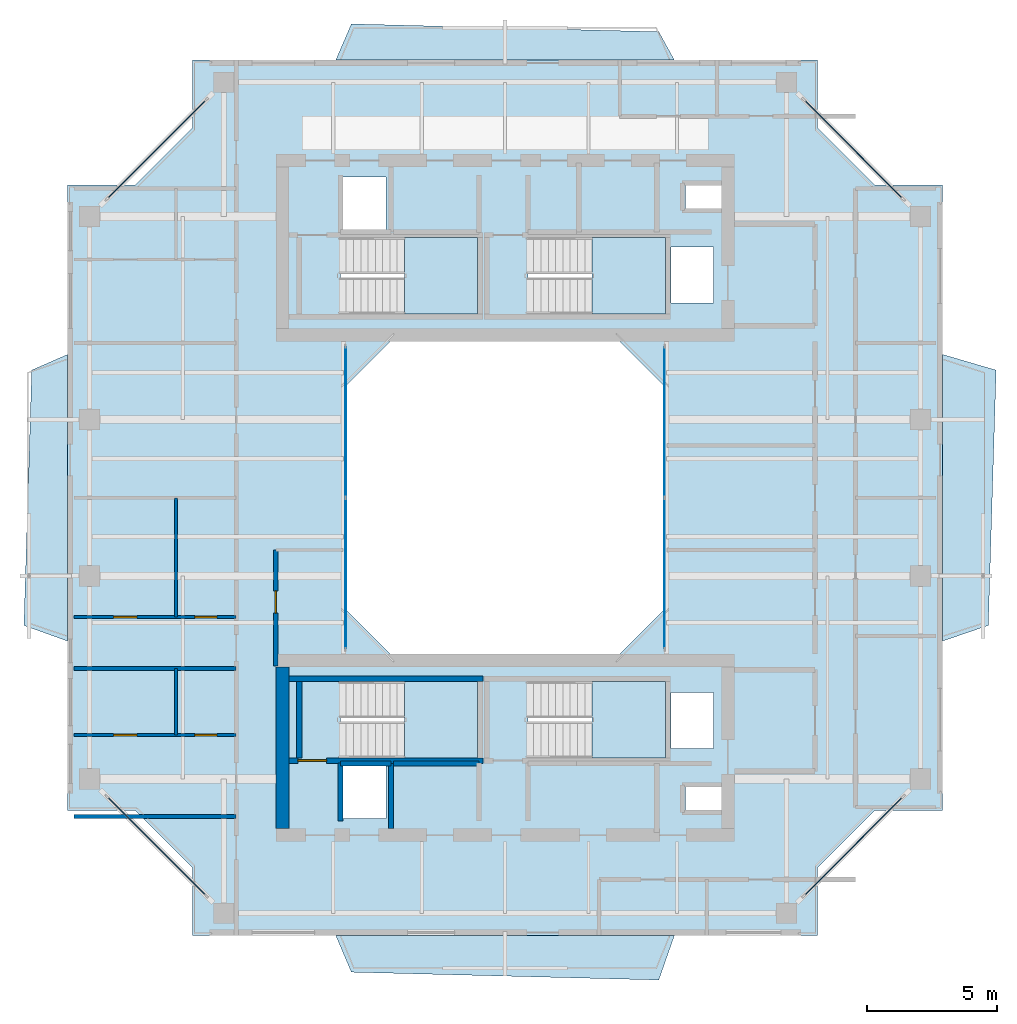
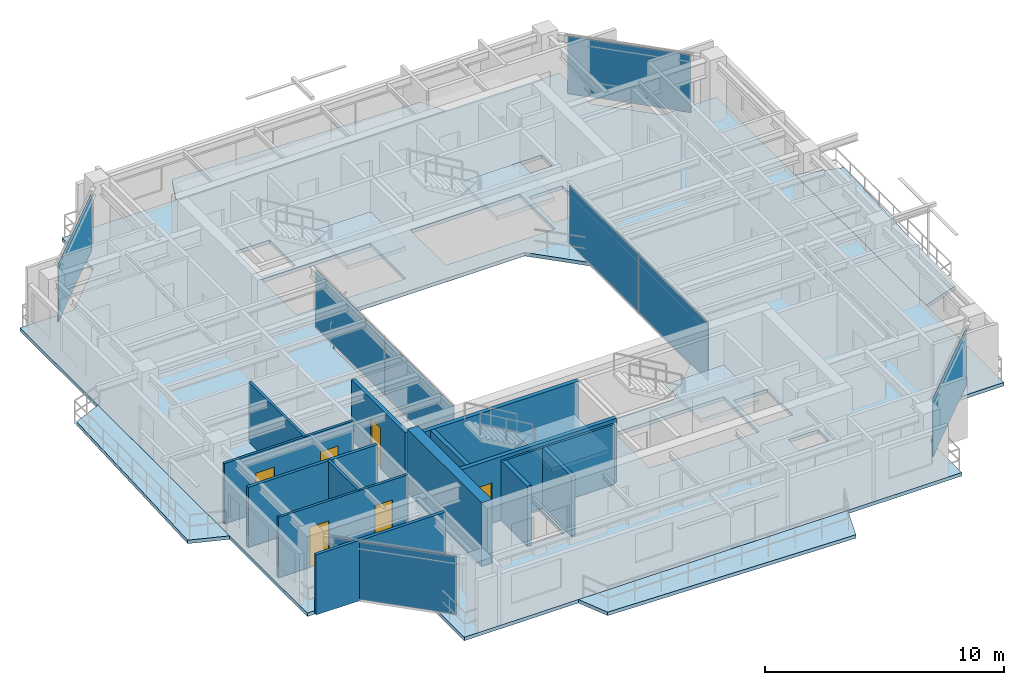
# One storey, part 9 of 16: 15 walls, 9 slabs, 8 plates, 6 doors, 6 openings, 10 elements without a shape of their own.
"""IFC4 building model written with IfcOpenShell, lengths in metres."""

from ifc_helpers import new_model, si_unit, direction, frame, frame_2d, origin, origin_2d, place, context, subcontext, project, spatial, polyline, rectangle, outline, extrude, source, transform, mapped, material, layer, layer_set, type_object, element, fill, aggregate, save


model = new_model("IFC4")

# Units and contexts
model_context = context("Model", 3, precision=1e-05, world=origin(), true_north=direction((0.0, 1.0)))
body_context = subcontext(model_context, "Body", "Model", "MODEL_VIEW")
ifc_project = project(units=[si_unit("LENGTHUNIT", "METRE"), si_unit("AREAUNIT", "SQUARE_METRE"), si_unit("VOLUMEUNIT", "CUBIC_METRE"), si_unit("PLANEANGLEUNIT", "RADIAN"), si_unit("MASSUNIT", "GRAM", prefix="KILO"), si_unit("THERMODYNAMICTEMPERATUREUNIT", "KELVIN"), si_unit("POWERUNIT", "WATT")], contexts=[model_context])

# Site, building, storey
site_placement = place(None, origin())
site = spatial("IfcSite", under=ifc_project, at=site_placement, CompositionType="ELEMENT")
building_placement = place(site_placement, origin())
building = spatial("IfcBuilding", under=site, at=building_placement, Name="Qiaomeng Ring Towers", CompositionType="ELEMENT")
storey_placement = place(building_placement, frame((0.0, 0.0, 216.5)))
storey = spatial("IfcBuildingStorey", under=building, at=storey_placement, Name="L63", CompositionType="ELEMENT", Elevation=216.5)

# Slabs
ifc_material_1 = material(Name="Concrete C40", Category="concrete")
ifc_layer_1 = layer(ifc_material_1, 0.179931640625, Name="Concrete C40")
ifc_layer_set_1 = layer_set([ifc_layer_1], Name="Concrete C40")
slab_type_1 = type_object("IfcSlabType", Name="STR-SL-180", PredefinedType="FLOOR", material=ifc_layer_set_1)
slab_1_placement = place(storey_placement, frame((0.0, 0.0, -0.179931640625)))
element("IfcSlab", 1, at=slab_1_placement, inside=storey, type_object=slab_type_1, Name="L63 Tower 1 Annular Floor Slab", PredefinedType="FLOOR", context=body_context, shape_type="SweptSolid", body=[
    extrude(outline(polyline([(7.0, 6.199951171875), (31.0, 6.199951171875), (31.0, 8.800048828125), (33.199951171875, 11.0), (35.800048828125, 11.0), (35.800048828125, 35.0), (33.199951171875, 35.0), (31.0, 37.199951171875), (31.0, 39.800048828125), (7.0, 39.800048828125), (7.0, 37.199951171875), (4.800048828125, 35.0), (2.199951171875, 35.0), (2.199951171875, 11.0), (4.800048828125, 11.0), (7.0, 8.800048828125), (7.0, 6.199951171875)]), holes=[polyline([(12.780029296875, 10.679931640625), (12.780029296875, 12.820068359375), (14.419921875, 12.820068359375), (14.419921875, 10.679931640625), (12.780029296875, 10.679931640625)]), polyline([(12.679931640625, 13.010009765625), (12.679931640625, 15.949951171875), (17.949951171875, 15.949951171875), (17.949951171875, 13.010009765625), (12.679931640625, 13.010009765625)]), polyline([(23.199951171875, 29.199951171875), (25.199951171875, 27.199951171875), (25.199951171875, 18.800048828125), (23.199951171875, 16.800048828125), (14.800048828125, 16.800048828125), (12.800048828125, 18.800048828125), (12.800048828125, 27.199951171875), (14.800048828125, 29.199951171875), (23.199951171875, 29.199951171875)]), polyline([(12.679931640625, 32.989990234375), (17.949951171875, 32.989990234375), (17.949951171875, 30.050048828125), (12.679931640625, 30.050048828125), (12.679931640625, 32.989990234375)]), polyline([(19.8798828125, 32.989990234375), (25.14990234375, 32.989990234375), (25.14990234375, 30.050048828125), (19.8798828125, 30.050048828125), (19.8798828125, 32.989990234375)]), polyline([(12.780029296875, 33.179931640625), (12.780029296875, 35.320068359375), (14.419921875, 35.320068359375), (14.419921875, 33.179931640625), (12.780029296875, 33.179931640625)]), polyline([(25.919921875, 11.89990234375), (27.360107421875, 11.89990234375), (27.360107421875, 11.0), (25.919921875, 11.0), (25.919921875, 11.89990234375)]), polyline([(25.360107421875, 15.52001953125), (27.0, 15.52001953125), (27.0, 13.3798828125), (25.360107421875, 13.3798828125), (25.360107421875, 15.52001953125)]), polyline([(19.8798828125, 13.010009765625), (19.8798828125, 15.949951171875), (25.14990234375, 15.949951171875), (25.14990234375, 13.010009765625), (19.8798828125, 13.010009765625)]), polyline([(25.360107421875, 32.6201171875), (27.0, 32.6201171875), (27.0, 30.47998046875), (25.360107421875, 30.47998046875), (25.360107421875, 32.6201171875)]), polyline([(25.919921875, 35.0), (27.360107421875, 35.0), (27.360107421875, 34.10009765625), (25.919921875, 34.10009765625), (25.919921875, 35.0)])]), origin(), (0.0, 0.0, 1.0), 0.179931640625),
])
ifc_layer_2 = layer(ifc_material_1, 0.179931640625, Name="Concrete C40")
ifc_layer_set_2 = layer_set([ifc_layer_2], Name="Concrete C40")
slab_type_2 = type_object("IfcSlabType", Name="STR-SL-BAL", PredefinedType="FLOOR", material=ifc_layer_set_2)
slab_2_placement = place(storey_placement, frame((0.0, 0.0, -0.179931640625)))
element("IfcSlab", 2, at=slab_2_placement, inside=storey, type_object=slab_type_2, Name="L63 Tower 1 S Faceted Balcony Slab", PredefinedType="FLOOR", context=body_context, shape_type="SweptSolid", body=[
    extrude(outline(polyline([(25.5, 6.199951171875), (24.89990234375, 4.489990234375), (13.10009765625, 4.7900390625), (12.5, 6.199951171875), (25.5, 6.199951171875)])), origin(), (0.0, 0.0, 1.0), 0.179931640625),
])
slab_3_placement = place(storey_placement, frame((0.0, 0.0, -0.179931640625)))
element("IfcSlab", 3, at=slab_3_placement, inside=storey, type_object=slab_type_2, Name="L63 Tower 1 E Faceted Balcony Slab", PredefinedType="FLOOR", context=body_context, shape_type="SweptSolid", body=[
    extrude(outline(polyline([(37.85009765625, 27.89990234375), (37.550048828125, 18.10009765625), (35.800048828125, 17.5), (35.800048828125, 28.5), (37.85009765625, 27.89990234375)])), origin(), (0.0, 0.0, 1.0), 0.179931640625),
])
slab_4_placement = place(storey_placement, frame((0.0, 0.0, -0.179931640625)))
element("IfcSlab", 4, at=slab_4_placement, inside=storey, type_object=slab_type_2, Name="L63 Tower 1 N Faceted Balcony Slab", PredefinedType="FLOOR", context=body_context, shape_type="SweptSolid", body=[
    extrude(outline(polyline([(12.5, 39.800048828125), (13.10009765625, 41.18994140625), (24.89990234375, 40.889892578125), (25.5, 39.800048828125), (12.5, 39.800048828125)])), origin(), (0.0, 0.0, 1.0), 0.179931640625),
])
slab_5_placement = place(storey_placement, frame((0.0, 0.0, -0.179931640625)))
element("IfcSlab", 5, at=slab_5_placement, inside=storey, type_object=slab_type_2, Name="L63 Tower 1 W Faceted Balcony Slab", PredefinedType="FLOOR", context=body_context, shape_type="SweptSolid", body=[
    extrude(outline(polyline([(0.530029296875, 18.10009765625), (0.830078125, 27.89990234375), (2.199951171875, 28.5), (2.199951171875, 17.5), (0.530029296875, 18.10009765625)])), origin(), (0.0, 0.0, 1.0), 0.179931640625),
])

# Stair, slab
ifc_material_2 = material(Name="Precast concrete C40", Category="concrete")
stair_type = type_object("IfcStairType", Name="ARC-ST-325", PredefinedType="HALF_TURN_STAIR", material=ifc_material_2)
stair_1_placement = place(storey_placement, origin())
stair_1 = element("IfcStair", 6, at=stair_1_placement, inside=storey, type_object=stair_type, Name="L63 Tower 1 North Stair 1", PredefinedType="HALF_TURN_STAIR")
ifc_layer_3 = layer(ifc_material_1, 0.199951171875, Name="Concrete C40")
ifc_layer_set_3 = layer_set([ifc_layer_3], Name="Concrete C40")
slab_type_3 = type_object("IfcSlabType", Name="STR-SL-LANDING", PredefinedType="LANDING", material=ifc_layer_set_3)
slab_6_placement = place(storey_placement, frame((0.0, 0.0, 1.425048828125)))
slab_6 = element("IfcSlab", 7, at=slab_6_placement, type_object=slab_type_3, Name="ST1 landing 1", PredefinedType="LANDING", context=body_context, shape_type="SweptSolid", body=[
    extrude(outline(polyline([(15.139892578125, 30.050048828125), (17.949951171875, 30.050048828125), (17.949951171875, 32.989990234375), (15.139892578125, 32.989990234375), (15.139892578125, 30.050048828125)])), origin(), (0.0, 0.0, 1.0), 0.199951171875),
])
aggregate(stair_1, [slab_6])

stair_2_placement = place(storey_placement, origin())
stair_2 = element("IfcStair", 8, at=stair_2_placement, inside=storey, type_object=stair_type, Name="L63 Tower 1 North Stair 2", PredefinedType="HALF_TURN_STAIR")
slab_7_placement = place(storey_placement, frame((0.0, 0.0, 1.425048828125)))
slab_7 = element("IfcSlab", 9, at=slab_7_placement, type_object=slab_type_3, Name="ST2 landing 1", PredefinedType="LANDING", context=body_context, shape_type="SweptSolid", body=[
    extrude(outline(polyline([(22.340087890625, 30.050048828125), (25.14990234375, 30.050048828125), (25.14990234375, 32.989990234375), (22.340087890625, 32.989990234375), (22.340087890625, 30.050048828125)])), origin(), (0.0, 0.0, 1.0), 0.199951171875),
])
aggregate(stair_2, [slab_7])

stair_3_placement = place(storey_placement, origin())
stair_3 = element("IfcStair", 10, at=stair_3_placement, inside=storey, type_object=stair_type, Name="L63 Tower 1 South Stair 3", PredefinedType="HALF_TURN_STAIR")
slab_8_placement = place(storey_placement, frame((0.0, 0.0, 1.425048828125)))
slab_8 = element("IfcSlab", 11, at=slab_8_placement, type_object=slab_type_3, Name="ST3 landing 1", PredefinedType="LANDING", context=body_context, shape_type="SweptSolid", body=[
    extrude(outline(polyline([(15.139892578125, 13.010009765625), (17.949951171875, 13.010009765625), (17.949951171875, 15.949951171875), (15.139892578125, 15.949951171875), (15.139892578125, 13.010009765625)])), origin(), (0.0, 0.0, 1.0), 0.199951171875),
])
aggregate(stair_3, [slab_8])

stair_4_placement = place(storey_placement, origin())
stair_4 = element("IfcStair", 12, at=stair_4_placement, inside=storey, type_object=stair_type, Name="L63 Tower 1 South Stair 4", PredefinedType="HALF_TURN_STAIR")
slab_9_placement = place(storey_placement, frame((0.0, 0.0, 1.425048828125)))
slab_9 = element("IfcSlab", 13, at=slab_9_placement, type_object=slab_type_3, Name="ST4 landing 1", PredefinedType="LANDING", context=body_context, shape_type="SweptSolid", body=[
    extrude(outline(polyline([(22.340087890625, 13.010009765625), (25.14990234375, 13.010009765625), (25.14990234375, 15.949951171875), (22.340087890625, 15.949951171875), (22.340087890625, 13.010009765625)])), origin(), (0.0, 0.0, 1.0), 0.199951171875),
])
aggregate(stair_4, [slab_9])

# Curtain wall, plates
ifc_material_3 = material(Name="Fluorocarbon dark-grey aluminium", Category="aluminium")
ifc_layer_4 = layer(ifc_material_3, 0.139892578125, Name="Fluorocarbon dark-grey aluminium")
ifc_layer_set_4 = layer_set([ifc_layer_4], Name="Fluorocarbon dark-grey aluminium")
curtain_wall_type_1 = type_object("IfcCurtainWallType", Name="ARC-CW-4", PredefinedType="NOTDEFINED", material=ifc_layer_set_4)
curtain_wall_1_placement = place(storey_placement, origin())
curtain_wall_1 = element("IfcCurtainWall", 14, at=curtain_wall_1_placement, inside=storey, type_object=curtain_wall_type_1, Name="L63 Curtain Wall CW4", PredefinedType="NOTDEFINED")
ifc_material_4 = material(Name="Low-E dark-grey laminated double glazing", Category="glass")
ifc_layer_5 = layer(ifc_material_4, 0.028076171875, Name="Low-E dark-grey laminated double glazing")
ifc_layer_set_5 = layer_set([ifc_layer_5], Name="Low-E dark-grey laminated double glazing")
plate_type = type_object("IfcPlateType", Name="ARC-CWP-DARK", PredefinedType="CURTAIN_PANEL", material=ifc_layer_set_5)
shared_shape_1 = source(origin(), body_context, "Body", "SweptSolid", [
    extrude(rectangle(XDim=5.75244140625, YDim=0.028076171875, at=origin_2d()), origin(), (0.0, 0.0, 1.0), 2.93994140625),
])
plate_1_placement = place(storey_placement, frame((12.8798828125, 20.09130859375, 0.06494140625), z_axis=(0.0, 0.0, 1.0), x_axis=(0.0, 1.0, 0.0)))
plate_1 = element("IfcPlate", 15, at=plate_1_placement, type_object=plate_type, Name="CW4 panel 1.1", PredefinedType="CURTAIN_PANEL", context=body_context, shape_type="MappedRepresentation", body=[
    mapped(shared_shape_1, transform((0.0, 0.0, 0.0), x_axis=(1.0, 0.0, 0.0), y_axis=(0.0, 1.0, 0.0), z_axis=(0.0, 0.0, 1.0), scale=1.0)),
])
plate_2_placement = place(storey_placement, frame((12.8798828125, 25.90869140625, 0.06494140625), z_axis=(0.0, 0.0, 1.0), x_axis=(0.0, 1.0, 0.0)))
plate_2 = element("IfcPlate", 16, at=plate_2_placement, type_object=plate_type, Name="CW4 panel 2.1", PredefinedType="CURTAIN_PANEL", context=body_context, shape_type="MappedRepresentation", body=[
    mapped(shared_shape_1, transform((0.0, 0.0, 0.0), x_axis=(1.0, 0.0, 0.0), y_axis=(0.0, 1.0, 0.0), z_axis=(0.0, 0.0, 1.0), scale=1.0)),
])
aggregate(curtain_wall_1, [plate_1, plate_2])

curtain_wall_2_placement = place(storey_placement, origin())
curtain_wall_2 = element("IfcCurtainWall", 17, at=curtain_wall_2_placement, inside=storey, type_object=curtain_wall_type_1, Name="L63 Curtain Wall CW4", PredefinedType="NOTDEFINED")
plate_3_placement = place(storey_placement, frame((25.1201171875, 20.09130859375, 0.06494140625), z_axis=(0.0, 0.0, 1.0), x_axis=(0.0, 1.0, 0.0)))
plate_3 = element("IfcPlate", 18, at=plate_3_placement, type_object=plate_type, Name="CW4 panel 1.1", PredefinedType="CURTAIN_PANEL", context=body_context, shape_type="MappedRepresentation", body=[
    mapped(shared_shape_1, transform((0.0, 0.0, 0.0), x_axis=(1.0, 0.0, 0.0), y_axis=(0.0, 1.0, 0.0), z_axis=(0.0, 0.0, 1.0), scale=1.0)),
])
plate_4_placement = place(storey_placement, frame((25.1201171875, 25.90869140625, 0.06494140625), z_axis=(0.0, 0.0, 1.0), x_axis=(0.0, 1.0, 0.0)))
plate_4 = element("IfcPlate", 19, at=plate_4_placement, type_object=plate_type, Name="CW4 panel 2.1", PredefinedType="CURTAIN_PANEL", context=body_context, shape_type="MappedRepresentation", body=[
    mapped(shared_shape_1, transform((0.0, 0.0, 0.0), x_axis=(1.0, 0.0, 0.0), y_axis=(0.0, 1.0, 0.0), z_axis=(0.0, 0.0, 1.0), scale=1.0)),
])
aggregate(curtain_wall_2, [plate_3, plate_4])

# Curtain wall, plate
ifc_layer_6 = layer(ifc_material_3, 0.14990234375, Name="Fluorocarbon dark-grey aluminium")
ifc_layer_set_6 = layer_set([ifc_layer_6], Name="Fluorocarbon dark-grey aluminium")
curtain_wall_type_2 = type_object("IfcCurtainWallType", Name="ARC-CW-3", PredefinedType="NOTDEFINED", material=ifc_layer_set_6)
curtain_wall_3_placement = place(storey_placement, origin())
curtain_wall_3 = element("IfcCurtainWall", 20, at=curtain_wall_3_placement, inside=storey, type_object=curtain_wall_type_2, Name="L63 Curtain Wall CW3", PredefinedType="NOTDEFINED")
shared_shape_2 = source(origin(), body_context, "Body", "SweptSolid", [
    extrude(rectangle(XDim=5.3330078125, YDim=0.028076171875, at=origin_2d()), origin(), (0.0, 0.0, 1.0), 2.93994140625),
])
plate_5_placement = place(storey_placement, frame((32.375, 9.625, 0.06494140625), z_axis=(0.0, 0.0, 1.0), x_axis=(0.707106781187, 0.707106781187, 0.0)))
plate_5 = element("IfcPlate", 21, at=plate_5_placement, type_object=plate_type, Name="CW3 panel 1.1", PredefinedType="CURTAIN_PANEL", context=body_context, shape_type="MappedRepresentation", body=[
    mapped(shared_shape_2, transform((0.0, 0.0, 0.0), x_axis=(1.0, 0.0, 0.0), y_axis=(0.0, 1.0, 0.0), z_axis=(0.0, 0.0, 1.0), scale=1.0)),
])
aggregate(curtain_wall_3, [plate_5])

curtain_wall_4_placement = place(storey_placement, origin())
curtain_wall_4 = element("IfcCurtainWall", 22, at=curtain_wall_4_placement, inside=storey, type_object=curtain_wall_type_2, Name="L63 Curtain Wall CW3", PredefinedType="NOTDEFINED")
plate_6_placement = place(storey_placement, frame((32.375, 36.375, 0.06494140625), z_axis=(0.0, 0.0, 1.0), x_axis=(-0.707106781187, 0.707106781187, 0.0)))
plate_6 = element("IfcPlate", 23, at=plate_6_placement, type_object=plate_type, Name="CW3 panel 1.1", PredefinedType="CURTAIN_PANEL", context=body_context, shape_type="MappedRepresentation", body=[
    mapped(shared_shape_2, transform((0.0, 0.0, 0.0), x_axis=(1.0, 0.0, 0.0), y_axis=(0.0, 1.0, 0.0), z_axis=(0.0, 0.0, 1.0), scale=1.0)),
])
aggregate(curtain_wall_4, [plate_6])

curtain_wall_5_placement = place(storey_placement, origin())
curtain_wall_5 = element("IfcCurtainWall", 24, at=curtain_wall_5_placement, inside=storey, type_object=curtain_wall_type_2, Name="L63 Curtain Wall CW3", PredefinedType="NOTDEFINED")
plate_7_placement = place(storey_placement, frame((5.625, 36.375, 0.06494140625), z_axis=(0.0, 0.0, 1.0), x_axis=(-0.707106781187, -0.707106781187, 0.0)))
plate_7 = element("IfcPlate", 25, at=plate_7_placement, type_object=plate_type, Name="CW3 panel 1.1", PredefinedType="CURTAIN_PANEL", context=body_context, shape_type="MappedRepresentation", body=[
    mapped(shared_shape_2, transform((0.0, 0.0, 0.0), x_axis=(1.0, 0.0, 0.0), y_axis=(0.0, 1.0, 0.0), z_axis=(0.0, 0.0, 1.0), scale=1.0)),
])
aggregate(curtain_wall_5, [plate_7])

curtain_wall_6_placement = place(storey_placement, origin())
curtain_wall_6 = element("IfcCurtainWall", 26, at=curtain_wall_6_placement, inside=storey, type_object=curtain_wall_type_2, Name="L63 Curtain Wall CW3", PredefinedType="NOTDEFINED")
plate_8_placement = place(storey_placement, frame((5.625, 9.625, 0.06494140625), z_axis=(0.0, 0.0, 1.0), x_axis=(0.707106781187, -0.707106781187, 0.0)))
plate_8 = element("IfcPlate", 27, at=plate_8_placement, type_object=plate_type, Name="CW3 panel 1.1", PredefinedType="CURTAIN_PANEL", context=body_context, shape_type="MappedRepresentation", body=[
    mapped(shared_shape_2, transform((0.0, 0.0, 0.0), x_axis=(1.0, 0.0, 0.0), y_axis=(0.0, 1.0, 0.0), z_axis=(0.0, 0.0, 1.0), scale=1.0)),
])
aggregate(curtain_wall_6, [plate_8])

# Walls
ifc_material_5 = material(Name="Autoclaved aerated concrete block", Category="concrete")
ifc_layer_7 = layer(ifc_material_5, 0.199951171875, Name="Autoclaved aerated concrete block")
ifc_layer_set_7 = layer_set([ifc_layer_7], Name="Autoclaved aerated concrete block")
wall_type_1 = type_object("IfcWallType", Name="ARC-WL-PW1", PredefinedType="PARTITIONING", material=ifc_layer_set_7)
wall_1_placement = place(storey_placement, frame((12.679931640625, 10.60009765625, 0.0), z_axis=(0.0, 0.0, 1.0), x_axis=(0.0, 1.0, 0.0)))
element("IfcWall", 28, at=wall_1_placement, inside=storey, type_object=wall_type_1, Name="L63 Interior Wall PW1", PredefinedType="PARTITIONING", context=body_context, shape_type="SweptSolid", body=[
    extrude(rectangle(XDim=2.2099609375, YDim=0.199951171875, at=frame_2d((1.10498046875, 0.0))), origin(), (0.0, 0.0, 1.0), 3.070068359375),
])
wall_2_placement = place(storey_placement, frame((14.719970703125, 12.800048828125, 0.0), z_axis=(0.0, 0.0, 1.0), x_axis=(1.0, 0.0, 0.0)))
element("IfcWall", 29, at=wall_2_placement, inside=storey, type_object=wall_type_1, Name="L63 Interior Wall PW1", PredefinedType="PARTITIONING", context=body_context, shape_type="SweptSolid", body=[
    extrude(rectangle(XDim=3.280029296875, YDim=0.199951171875, at=frame_2d((1.64013671875, 0.0))), origin(), (0.0, 0.0, 1.0), 3.070068359375),
])

# Wall, opening, door
ifc_layer_8 = layer(ifc_material_5, 0.179931640625, Name="Autoclaved aerated concrete block")
ifc_layer_set_8 = layer_set([ifc_layer_8], Name="Autoclaved aerated concrete block")
wall_type_2 = type_object("IfcWallType", Name="ARC-WL-PW2", PredefinedType="PARTITIONING", material=ifc_layer_set_8)
wall_3_placement = place(storey_placement, frame((10.199951171875, 16.550048828125, 0.0), z_axis=(0.0, 0.0, 1.0), x_axis=(0.0, 1.0, 0.0)))
wall_3 = element("IfcWall", 30, at=wall_3_placement, inside=storey, type_object=wall_type_2, Name="L63 Interior Wall PW2", PredefinedType="PARTITIONING", context=body_context, shape_type="SweptSolid", body=[
    extrude(rectangle(XDim=4.449951171875, YDim=0.179931640625, at=frame_2d((2.22509765625, 0.0))), origin(), (0.0, 0.0, 1.0), 3.070068359375),
])
opening_1_placement = place(wall_3_placement, frame((2.02490234375, 0.0, 0.0)))
opening_1 = element("IfcOpeningElement", 31, at=opening_1_placement, cuts=wall_3, Name="Opening ID2", PredefinedType="OPENING", context=body_context, shape_type="SweptSolid", body=[
    extrude(rectangle(XDim=0.85009765625, YDim=2.050048828125, at=frame_2d((0.425048828125, 1.02490234375))), frame((0.0, 0.099853515625, 0.0), z_axis=(0.0, -1.0, 0.0), x_axis=(1.0, 0.0, 0.0)), (0.0, 0.0, 1.0), 0.199951171875),
])
ifc_material_6 = material(Name="Moisture-resistant engineered timber", Category="wood")
door_type_1 = type_object("IfcDoorType", Name="ARC-DR-ID2", OperationType="NOTDEFINED", PredefinedType="DOOR", material=ifc_material_6)
shared_shape_3 = source(origin(), body_context, "Body", "SweptSolid", [
    extrude(rectangle(XDim=0.85009765625, YDim=2.050048828125, at=frame_2d((0.425048828125, 1.02490234375))), frame((0.0, 0.02490234375, 0.0), z_axis=(0.0, -1.0, 0.0), x_axis=(1.0, 0.0, 0.0)), (0.0, 0.0, 1.0), 0.050048828125),
])
door_1_placement = place(opening_1_placement, origin())
door_1 = element("IfcDoor", 32, at=door_1_placement, inside=storey, type_object=door_type_1, Name="L63 Door ID2", OperationType="SINGLE_SWING_RIGHT", OverallHeight=2.050048828125, OverallWidth=0.85009765625, PredefinedType="DOOR", context=body_context, shape_type="MappedRepresentation", body=[
    mapped(shared_shape_3, transform((0.0, 0.0, 0.0), x_axis=(1.0, 0.0, 0.0), y_axis=(0.0, 1.0, 0.0), z_axis=(0.0, 0.0, 1.0), scale=1.0)),
])
fill(opening_1, door_1)

# Walls
ifc_material_7 = material(Name="Gypsum fireboard steel-stud partition", Category="steel")
ifc_layer_9 = layer(ifc_material_7, 0.14990234375, Name="Gypsum fireboard steel-stud partition")
ifc_layer_set_9 = layer_set([ifc_layer_9], Name="Gypsum fireboard steel-stud partition")
wall_type_3 = type_object("IfcWallType", Name="ARC-WL-PW3", PredefinedType="PARTITIONING", material=ifc_layer_set_9)
for number, where, z_axis, x_axis, name in (
    (33, (2.449951171875, 10.77001953125, 0.0), (0.0, 0.0, 1.0), (1.0, 0.0, 0.0), "L63 Interior Wall PW3"),
    (34, (2.449951171875, 16.43994140625, 0.0), (0.0, 0.0, 1.0), (1.0, 0.0, 0.0), "L63 Interior Wall PW3"),
):
    element("IfcWall", number, at=place(storey_placement, frame(where, z_axis=z_axis, x_axis=x_axis)), inside=storey, type_object=wall_type_3, Name=name, PredefinedType="PARTITIONING", context=body_context, shape_type="SweptSolid", body=[
        extrude(rectangle(XDim=6.22998046875, YDim=0.14990234375, at=frame_2d((3.114990234375, 0.0))), origin(), (0.0, 0.0, 1.0), 3.070068359375),
    ])

# Wall, openings, doors
ifc_material_8 = material(Name="Moisture-resistant gypsum steel-stud partition", Category="steel")
ifc_layer_10 = layer(ifc_material_8, 0.1201171875, Name="Moisture-resistant gypsum steel-stud partition")
ifc_layer_set_10 = layer_set([ifc_layer_10], Name="Moisture-resistant gypsum steel-stud partition")
wall_type_4 = type_object("IfcWallType", Name="ARC-WL-PW4", PredefinedType="PLUMBINGWALL", material=ifc_layer_set_10)
wall_4_placement = place(storey_placement, frame((2.449951171875, 13.889892578125, 0.0), z_axis=(0.0, 0.0, 1.0), x_axis=(1.0, 0.0, 0.0)))
wall_4 = element("IfcWall", 35, at=wall_4_placement, inside=storey, type_object=wall_type_4, Name="L63 Interior Wall PW4", PredefinedType="PLUMBINGWALL", context=body_context, shape_type="SweptSolid", body=[
    extrude(rectangle(XDim=6.22998046875, YDim=0.1201171875, at=frame_2d((3.114990234375, 0.0))), origin(), (0.0, 0.0, 1.0), 3.070068359375),
])
opening_2_placement = place(wall_4_placement, frame((1.52001953125, 0.0, 0.0)))
opening_2 = element("IfcOpeningElement", 36, at=opening_2_placement, cuts=wall_4, Name="Opening ID1", PredefinedType="OPENING", context=body_context, shape_type="SweptSolid", body=[
    extrude(rectangle(XDim=0.89990234375, YDim=2.050048828125, at=frame_2d((0.449951171875, 1.02490234375))), frame((0.0, 0.070068359375, 0.0), z_axis=(0.0, -1.0, 0.0), x_axis=(1.0, 0.0, 0.0)), (0.0, 0.0, 1.0), 0.14013671875),
])
opening_3_placement = place(wall_4_placement, frame((4.639892578125, 0.0, 0.0)))
opening_3 = element("IfcOpeningElement", 37, at=opening_3_placement, cuts=wall_4, Name="Opening ID2", PredefinedType="OPENING", context=body_context, shape_type="SweptSolid", body=[
    extrude(rectangle(XDim=0.85009765625, YDim=2.050048828125, at=frame_2d((0.425048828125, 1.02490234375))), frame((0.0, 0.070068359375, 0.0), z_axis=(0.0, -1.0, 0.0), x_axis=(1.0, 0.0, 0.0)), (0.0, 0.0, 1.0), 0.14013671875),
])
door_2_placement = place(opening_3_placement, origin())
door_2 = element("IfcDoor", 38, at=door_2_placement, inside=storey, type_object=door_type_1, Name="L63 Door ID2", OperationType="SINGLE_SWING_LEFT", OverallHeight=2.050048828125, OverallWidth=0.85009765625, PredefinedType="DOOR", context=body_context, shape_type="MappedRepresentation", body=[
    mapped(shared_shape_3, transform((0.0, 0.0, 0.0), x_axis=(1.0, 0.0, 0.0), y_axis=(0.0, 1.0, 0.0), z_axis=(0.0, 0.0, 1.0), scale=1.0)),
])
fill(opening_3, door_2)
ifc_material_9 = material(Name="Engineered oak timber", Category="wood")
door_type_2 = type_object("IfcDoorType", Name="ARC-DR-ID1", OperationType="NOTDEFINED", PredefinedType="DOOR", material=ifc_material_9)
shared_shape_4 = source(origin(), body_context, "Body", "SweptSolid", [
    extrude(rectangle(XDim=0.89990234375, YDim=2.050048828125, at=frame_2d((0.449951171875, 1.02490234375))), frame((0.0, 0.02490234375, 0.0), z_axis=(0.0, -1.0, 0.0), x_axis=(1.0, 0.0, 0.0)), (0.0, 0.0, 1.0), 0.050048828125),
])
door_3_placement = place(opening_2_placement, origin())
door_3 = element("IfcDoor", 39, at=door_3_placement, inside=storey, type_object=door_type_2, Name="L63 Door ID1", OperationType="SINGLE_SWING_RIGHT", OverallHeight=2.050048828125, OverallWidth=0.89990234375, PredefinedType="DOOR", context=body_context, shape_type="MappedRepresentation", body=[
    mapped(shared_shape_4, transform((0.0, 0.0, 0.0), x_axis=(1.0, 0.0, 0.0), y_axis=(0.0, 1.0, 0.0), z_axis=(0.0, 0.0, 1.0), scale=1.0)),
])
fill(opening_2, door_3)

# Wall
wall_5_placement = place(storey_placement, frame((6.3701171875, 13.889892578125, 0.0), z_axis=(0.0, 0.0, 1.0), x_axis=(0.0, 1.0, 0.0)))
element("IfcWall", 40, at=wall_5_placement, inside=storey, type_object=wall_type_4, Name="L63 Interior Wall PW4", PredefinedType="PLUMBINGWALL", context=body_context, shape_type="SweptSolid", body=[
    extrude(rectangle(XDim=2.550048828125, YDim=0.1201171875, at=frame_2d((1.27490234375, 0.0))), origin(), (0.0, 0.0, 1.0), 3.070068359375),
])

# Wall, openings, doors
wall_6_placement = place(storey_placement, frame((2.449951171875, 18.419921875, 0.0), z_axis=(0.0, 0.0, 1.0), x_axis=(1.0, 0.0, 0.0)))
wall_6 = element("IfcWall", 41, at=wall_6_placement, inside=storey, type_object=wall_type_4, Name="L63 Interior Wall PW4", PredefinedType="PLUMBINGWALL", context=body_context, shape_type="SweptSolid", body=[
    extrude(rectangle(XDim=6.22998046875, YDim=0.1201171875, at=frame_2d((3.114990234375, 0.0))), origin(), (0.0, 0.0, 1.0), 3.070068359375),
])
opening_4_placement = place(wall_6_placement, frame((1.52001953125, 0.0, 0.0)))
opening_4 = element("IfcOpeningElement", 42, at=opening_4_placement, cuts=wall_6, Name="Opening ID1", PredefinedType="OPENING", context=body_context, shape_type="SweptSolid", body=[
    extrude(rectangle(XDim=0.89990234375, YDim=2.050048828125, at=frame_2d((0.449951171875, 1.02490234375))), frame((0.0, 0.070068359375, 0.0), z_axis=(0.0, -1.0, 0.0), x_axis=(1.0, 0.0, 0.0)), (0.0, 0.0, 1.0), 0.14013671875),
])
opening_5_placement = place(wall_6_placement, frame((4.639892578125, 0.0, 0.0)))
opening_5 = element("IfcOpeningElement", 43, at=opening_5_placement, cuts=wall_6, Name="Opening ID2", PredefinedType="OPENING", context=body_context, shape_type="SweptSolid", body=[
    extrude(rectangle(XDim=0.85009765625, YDim=2.050048828125, at=frame_2d((0.425048828125, 1.02490234375))), frame((0.0, 0.070068359375, 0.0), z_axis=(0.0, -1.0, 0.0), x_axis=(1.0, 0.0, 0.0)), (0.0, 0.0, 1.0), 0.14013671875),
])
door_4_placement = place(opening_5_placement, origin())
door_4 = element("IfcDoor", 44, at=door_4_placement, inside=storey, type_object=door_type_1, Name="L63 Door ID2", OperationType="SINGLE_SWING_RIGHT", OverallHeight=2.050048828125, OverallWidth=0.85009765625, PredefinedType="DOOR", context=body_context, shape_type="MappedRepresentation", body=[
    mapped(shared_shape_3, transform((0.0, 0.0, 0.0), x_axis=(1.0, 0.0, 0.0), y_axis=(0.0, 1.0, 0.0), z_axis=(0.0, 0.0, 1.0), scale=1.0)),
])
fill(opening_5, door_4)
door_5_placement = place(opening_4_placement, origin())
door_5 = element("IfcDoor", 45, at=door_5_placement, inside=storey, type_object=door_type_2, Name="L63 Door ID1", OperationType="SINGLE_SWING_LEFT", OverallHeight=2.050048828125, OverallWidth=0.89990234375, PredefinedType="DOOR", context=body_context, shape_type="MappedRepresentation", body=[
    mapped(shared_shape_4, transform((0.0, 0.0, 0.0), x_axis=(1.0, 0.0, 0.0), y_axis=(0.0, 1.0, 0.0), z_axis=(0.0, 0.0, 1.0), scale=1.0)),
])
fill(opening_4, door_5)

# Walls
wall_7_placement = place(storey_placement, frame((6.3701171875, 18.419921875, 0.0), z_axis=(0.0, 0.0, 1.0), x_axis=(0.0, 1.0, 0.0)))
element("IfcWall", 46, at=wall_7_placement, inside=storey, type_object=wall_type_4, Name="L63 Interior Wall PW4", PredefinedType="PLUMBINGWALL", context=body_context, shape_type="SweptSolid", body=[
    extrude(rectangle(XDim=4.580078125, YDim=0.1201171875, at=frame_2d((2.2900390625, 0.0))), origin(), (0.0, 0.0, 1.0), 3.070068359375),
])
ifc_layer_11 = layer(ifc_material_1, 0.199951171875, Name="Concrete C40")
ifc_layer_set_11 = layer_set([ifc_layer_11], Name="Concrete C40")
wall_type_5 = type_object("IfcWallType", Name="STR-WL-STSHAFT", PredefinedType="SHEAR", material=ifc_layer_set_11)
wall_8_placement = place(storey_placement, frame((12.679931640625, 12.800048828125, 0.0), z_axis=(0.0, 0.0, 1.0), x_axis=(1.0, 0.0, 0.0)))
element("IfcWall", 47, at=wall_8_placement, inside=storey, type_object=wall_type_5, Name="L63 Lift LP6 Shaft Back Wall", PredefinedType="SHEAR", context=body_context, shape_type="SweptSolid", body=[
    extrude(rectangle(XDim=1.940185546875, YDim=0.179931640625, at=frame_2d((0.97021484375, 0.0))), origin(), (0.0, 0.0, 1.0), 3.070068359375),
])
wall_9_placement = place(storey_placement, frame((14.6201171875, 10.300048828125, 0.0), z_axis=(0.0, 0.0, 1.0), x_axis=(0.0, 1.0, 0.0)))
element("IfcWall", 48, at=wall_9_placement, inside=storey, type_object=wall_type_5, Name="L63 Lift LP6-LP4 Shaft Divider Wall", PredefinedType="SHEAR", context=body_context, shape_type="SweptSolid", body=[
    extrude(rectangle(XDim=2.5, YDim=0.179931640625, at=frame_2d((1.25, 0.0))), origin(), (0.0, 0.0, 1.0), 3.070068359375),
])

# Wall, opening, door
wall_10_placement = place(storey_placement, frame((10.699951171875, 12.909912109375, 0.0), z_axis=(0.0, 0.0, 1.0), x_axis=(1.0, 0.0, 0.0)))
wall_10 = element("IfcWall", 49, at=wall_10_placement, inside=storey, type_object=wall_type_5, Name="L63 Stair ST3 South Shaft Shear Wall", PredefinedType="SHEAR", context=body_context, shape_type="SweptSolid", body=[
    extrude(rectangle(XDim=7.449951171875, YDim=0.199951171875, at=frame_2d((3.72509765625, 0.0))), origin(), (0.0, 0.0, 1.0), 3.25),
])
opening_6_placement = place(wall_10_placement, frame((0.35009765625, 0.0, 0.0)))
opening_6 = element("IfcOpeningElement", 50, at=opening_6_placement, cuts=wall_10, Name="Opening FD3", PredefinedType="OPENING", context=body_context, shape_type="SweptSolid", body=[
    extrude(rectangle(XDim=1.10009765625, YDim=2.050048828125, at=frame_2d((0.550048828125, 1.02490234375))), frame((0.0, 0.10986328125, 0.0), z_axis=(0.0, -1.0, 0.0), x_axis=(1.0, 0.0, 0.0)), (0.0, 0.0, 1.0), 0.219970703125),
])
ifc_material_10 = material(Name="Galvanised steel", Category="steel")
door_type_3 = type_object("IfcDoorType", Name="ARC-DR-FD3", OperationType="NOTDEFINED", PredefinedType="DOOR", material=ifc_material_10)
shared_shape_5 = source(origin(), body_context, "Body", "SweptSolid", [
    extrude(rectangle(XDim=1.10009765625, YDim=2.050048828125, at=frame_2d((0.550048828125, 1.02490234375))), frame((0.0, 0.02490234375, 0.0), z_axis=(0.0, -1.0, 0.0), x_axis=(1.0, 0.0, 0.0)), (0.0, 0.0, 1.0), 0.050048828125),
])
door_6_placement = place(opening_6_placement, frame((1.10009765625, 0.0, 0.0), z_axis=(0.0, 0.0, 1.0), x_axis=(-1.0, 0.0, 0.0)))
door_6 = element("IfcDoor", 51, at=door_6_placement, inside=storey, type_object=door_type_3, Name="L63 Stair ST3 Exit Door", OperationType="SINGLE_SWING_RIGHT", OverallHeight=2.050048828125, OverallWidth=1.10009765625, PredefinedType="DOOR", context=body_context, shape_type="MappedRepresentation", body=[
    mapped(shared_shape_5, transform((0.0, 0.0, 0.0), x_axis=(1.0, 0.0, 0.0), y_axis=(0.0, 1.0, 0.0), z_axis=(0.0, 0.0, 1.0), scale=1.0)),
])
fill(opening_6, door_6)

# Walls
wall_11_placement = place(storey_placement, frame((10.699951171875, 16.050048828125, 0.0), z_axis=(0.0, 0.0, 1.0), x_axis=(1.0, 0.0, 0.0)))
element("IfcWall", 52, at=wall_11_placement, inside=storey, type_object=wall_type_5, Name="L63 Stair ST3 North Shaft Shear Wall", PredefinedType="SHEAR", context=body_context, shape_type="SweptSolid", body=[
    extrude(rectangle(XDim=7.449951171875, YDim=0.199951171875, at=frame_2d((3.72509765625, 0.0))), origin(), (0.0, 0.0, 1.0), 3.25),
])
wall_12_placement = place(storey_placement, frame((11.10009765625, 13.010009765625, 0.0), z_axis=(0.0, 0.0, 1.0), x_axis=(0.0, 1.0, 0.0)))
element("IfcWall", 53, at=wall_12_placement, inside=storey, type_object=wall_type_5, Name="L63 Stair ST3 West Shaft Shear Wall", PredefinedType="SHEAR", context=body_context, shape_type="SweptSolid", body=[
    extrude(rectangle(XDim=2.93994140625, YDim=0.199951171875, at=frame_2d((1.469970703125, 0.0))), origin(), (0.0, 0.0, 1.0), 3.25),
])
ifc_layer_12 = layer(ifc_material_1, 0.5, Name="Concrete C40")
ifc_layer_set_12 = layer_set([ifc_layer_12], Name="Concrete C40")
wall_type_6 = type_object("IfcWallType", Name="STR-WL-SW3", PredefinedType="SHEAR", material=ifc_layer_set_12)
wall_13_placement = place(storey_placement, frame((10.449951171875, 10.300048828125, 0.0), z_axis=(0.0, 0.0, 1.0), x_axis=(0.0, 1.0, 0.0)))
element("IfcWall", 54, at=wall_13_placement, inside=storey, type_object=wall_type_6, Name="L63 T1SC west core shear wall", PredefinedType="SHEAR", context=body_context, shape_type="SweptSolid", body=[
    extrude(rectangle(XDim=6.199951171875, YDim=0.5, at=frame_2d((3.10009765625, 0.0))), origin(), (0.0, 0.0, 1.0), 3.25),
])

save(model, "model.ifc")
